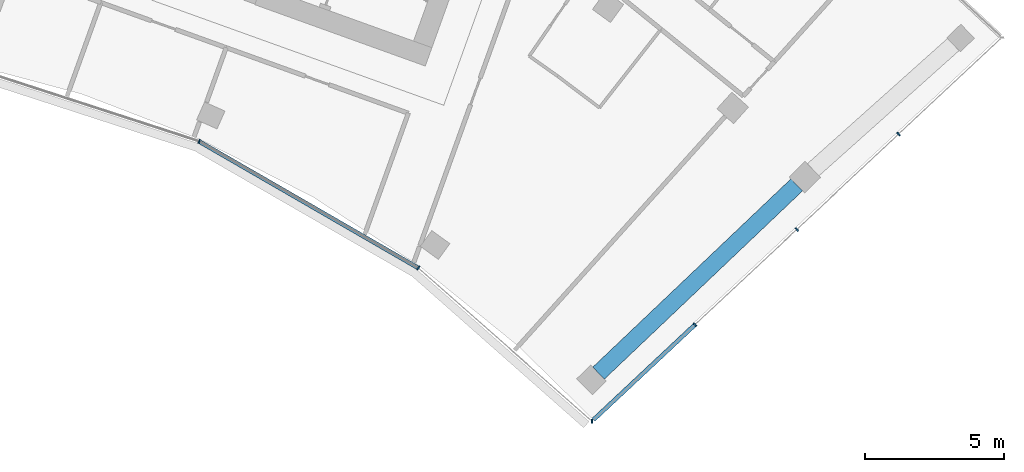
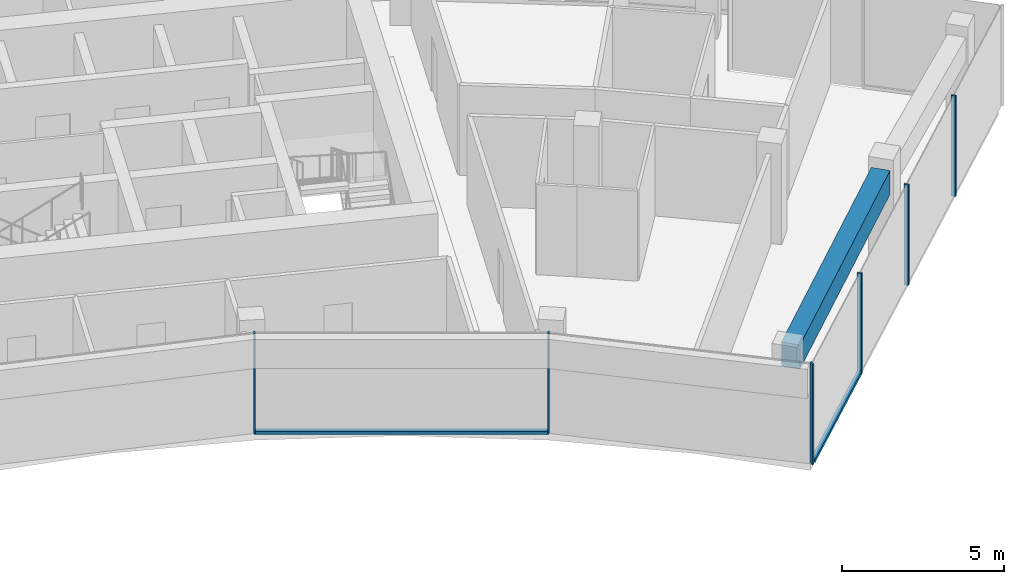
# One storey, part 8 of 19: 8 members, 1 beam, 2 elements without a shape of their own.
"""IFC4 building model written with IfcOpenShell, lengths in metres."""

from ifc_helpers import new_model, si_unit, direction, frame, origin, origin_2d, place, context, subcontext, project, spatial, rectangle, extrude, material, layer, layer_set, material_profile, profile_set, type_object, element, aggregate, save


model = new_model("IFC4")

# Units and contexts
model_context = context("Model", 3, precision=1e-05, world=origin(), true_north=direction((0.0, 1.0)))
body_context = subcontext(model_context, "Body", "Model", "MODEL_VIEW")
ifc_project = project(units=[si_unit("LENGTHUNIT", "METRE"), si_unit("AREAUNIT", "SQUARE_METRE"), si_unit("VOLUMEUNIT", "CUBIC_METRE"), si_unit("PLANEANGLEUNIT", "RADIAN"), si_unit("MASSUNIT", "GRAM", prefix="KILO")], contexts=[model_context])

# Site, building, storey
site_placement = place(None, origin())
site = spatial("IfcSite", under=ifc_project, at=site_placement, CompositionType="ELEMENT")
building_placement = place(site_placement, origin())
building = spatial("IfcBuilding", under=site, at=building_placement, Name="Stone Belt Terrace Tower", CompositionType="ELEMENT")
storey_placement = place(building_placement, frame((0.0, 0.0, 303.60009765625)))
storey = spatial("IfcBuildingStorey", under=building, at=storey_placement, Name="L74", CompositionType="ELEMENT", Elevation=303.60009765625)

# Curtain wall, members
ifc_material_1 = material(Name="Aluminium 6063-T6 anodised frame", Category="aluminium")
ifc_layer_1 = layer(ifc_material_1, 0.14990234375)
ifc_layer_set_1 = layer_set([ifc_layer_1], Name="CW-B unitised concave-face curtain wall")
curtain_wall_type_1 = type_object("IfcCurtainWallType", Name="CW-B unitised concave-face curtain wall", PredefinedType="NOTDEFINED", material=ifc_layer_set_1)
curtain_wall_1_placement = place(storey_placement, origin())
curtain_wall_1 = element("IfcCurtainWall", 1, at=curtain_wall_1_placement, inside=storey, type_object=curtain_wall_type_1, Name="CW-B concave face L74", PredefinedType="NOTDEFINED")
ifc_material_profile_1 = material_profile(ifc_material_1, rectangle(XDim=0.14990234375, YDim=0.050048828125, at=origin_2d()), Name="Aluminium 6063-T6 50x150")
ifc_profile_set_1 = profile_set([ifc_material_profile_1], Name="Aluminium 6063-T6 anodised frame")
member_type_1 = type_object("IfcMemberType", Name="CW-B mullion 50 x 150", PredefinedType="MULLION", material=ifc_profile_set_1)
member_1_placement = place(storey_placement, frame((17.662353515625, 39.67041015625, 0.0), z_axis=(0.0, 0.0, 1.0), x_axis=(0.406736643076, 0.913545457643, 0.0)))
member_1 = element("IfcMember", 2, at=member_1_placement, type_object=member_type_1, Name="CW-B mullion 7", PredefinedType="MULLION", context=body_context, shape_type="SweptSolid", body=[
    extrude(rectangle(XDim=0.14990234375, YDim=0.050048828125, at=origin_2d()), origin(), (0.0, 0.0, 1.0), 3.7998046875),
])
member_2_placement = place(storey_placement, frame((25.524658203125, 35.131103515625, 0.0), z_axis=(0.0, 0.0, 1.0), x_axis=(0.583818854632, 0.811883947973, 0.0)))
member_2 = element("IfcMember", 3, at=member_2_placement, type_object=member_type_1, Name="CW-B mullion 8", PredefinedType="MULLION", context=body_context, shape_type="SweptSolid", body=[
    extrude(rectangle(XDim=0.14990234375, YDim=0.050048828125, at=origin_2d()), origin(), (0.0, 0.0, 1.0), 3.7998046875),
])
ifc_material_profile_2 = material_profile(ifc_material_1, rectangle(XDim=0.14990234375, YDim=0.1201171875, at=origin_2d()), Name="Aluminium 6063-T6 150x120")
ifc_profile_set_2 = profile_set([ifc_material_profile_2], Name="Aluminium 6063-T6 anodised frame")
member_type_2 = type_object("IfcMemberType", Name="CW-B transom 120 x 150", PredefinedType="USERDEFINED", material=ifc_profile_set_2)
member_3_placement = place(storey_placement, frame((17.690673828125, 39.654052734375, 0.059814453125), z_axis=(0.866020948727, -0.500007716307, 0.0), x_axis=(0.500007716307, 0.866020948727, 0.0)))
member_3 = element("IfcMember", 4, at=member_3_placement, type_object=member_type_2, Name="CW-B transom 7.1", ObjectType="TRANSOM", PredefinedType="USERDEFINED", context=body_context, shape_type="SweptSolid", body=[
    extrude(rectangle(XDim=0.14990234375, YDim=0.1201171875, at=origin_2d()), origin(), (0.0, 0.0, 1.0), 9.013427734375),
])
aggregate(curtain_wall_1, [member_1, member_2, member_3])

ifc_layer_2 = layer(ifc_material_1, 0.14990234375)
ifc_layer_set_2 = layer_set([ifc_layer_2], Name="CW-C stick curtain wall, horn ends and notches")
curtain_wall_type_2 = type_object("IfcCurtainWallType", Name="CW-C stick curtain wall, horn ends and notches", PredefinedType="NOTDEFINED", material=ifc_layer_set_2)
curtain_wall_2_placement = place(storey_placement, origin())
curtain_wall_2 = element("IfcCurtainWall", 5, at=curtain_wall_2_placement, inside=storey, type_object=curtain_wall_type_2, Name="CW-C end face L74", PredefinedType="NOTDEFINED")
ifc_material_profile_3 = material_profile(ifc_material_1, rectangle(XDim=0.14990234375, YDim=0.06005859375, at=origin_2d()), Name="Aluminium 6063-T6 60x150")
ifc_profile_set_3 = profile_set([ifc_material_profile_3], Name="Aluminium 6063-T6 anodised frame")
member_type_3 = type_object("IfcMemberType", Name="CW-C mullion 60 x 150", PredefinedType="MULLION", material=ifc_profile_set_3)
member_4_placement = place(storey_placement, frame((31.75244140625, 29.633056640625, 0.0), z_axis=(0.0, 0.0, 1.0), x_axis=(-0.014681639593, 0.999892218921, 0.0)))
member_4 = element("IfcMember", 6, at=member_4_placement, type_object=member_type_3, Name="CW-C mullion 1", PredefinedType="MULLION", context=body_context, shape_type="SweptSolid", body=[
    extrude(rectangle(XDim=0.14990234375, YDim=0.06005859375, at=origin_2d()), origin(), (0.0, 0.0, 1.0), 3.7998046875),
])
member_5_placement = place(storey_placement, frame((35.45166015625, 33.097412109375, 0.0), z_axis=(0.0, 0.0, 1.0), x_axis=(-0.683549434973, 0.729904219708, 0.0)))
member_5 = element("IfcMember", 7, at=member_5_placement, type_object=member_type_3, Name="CW-C mullion 2", PredefinedType="MULLION", context=body_context, shape_type="SweptSolid", body=[
    extrude(rectangle(XDim=0.14990234375, YDim=0.06005859375, at=origin_2d()), origin(), (0.0, 0.0, 1.0), 3.7998046875),
])
member_6_placement = place(storey_placement, frame((39.10107421875, 36.51513671875, 0.0), z_axis=(0.0, 0.0, 1.0), x_axis=(-0.683549434973, 0.729904219708, 0.0)))
member_6 = element("IfcMember", 8, at=member_6_placement, type_object=member_type_3, Name="CW-C mullion 3", PredefinedType="MULLION", context=body_context, shape_type="SweptSolid", body=[
    extrude(rectangle(XDim=0.14990234375, YDim=0.06005859375, at=origin_2d()), origin(), (0.0, 0.0, 1.0), 3.7998046875),
])
member_7_placement = place(storey_placement, frame((42.750732421875, 39.932861328125, 0.0), z_axis=(0.0, 0.0, 1.0), x_axis=(-0.683549434973, 0.729904219708, 0.0)))
member_7 = element("IfcMember", 9, at=member_7_placement, type_object=member_type_3, Name="CW-C mullion 4", PredefinedType="MULLION", context=body_context, shape_type="SweptSolid", body=[
    extrude(rectangle(XDim=0.14990234375, YDim=0.06005859375, at=origin_2d()), origin(), (0.0, 0.0, 1.0), 3.7998046875),
])
ifc_material_profile_4 = material_profile(ifc_material_1, rectangle(XDim=0.14990234375, YDim=0.1201171875, at=origin_2d()), Name="Aluminium 6063-T6 150x120")
ifc_profile_set_4 = profile_set([ifc_material_profile_4], Name="Aluminium 6063-T6 anodised frame")
member_type_4 = type_object("IfcMemberType", Name="CW-C transom 120 x 150", PredefinedType="USERDEFINED", material=ifc_profile_set_4)
member_8_placement = place(storey_placement, frame((31.805419921875, 29.6826171875, 0.059814453125), z_axis=(0.72988516347, 0.683569782938, 0.0), x_axis=(-0.683569782938, 0.72988516347, 0.0)))
member_8 = element("IfcMember", 10, at=member_8_placement, type_object=member_type_4, Name="CW-C transom 1.1", ObjectType="TRANSOM", PredefinedType="USERDEFINED", context=body_context, shape_type="SweptSolid", body=[
    extrude(rectangle(XDim=0.14990234375, YDim=0.1201171875, at=origin_2d()), origin(), (0.0, 0.0, 1.0), 4.965576171875),
])
aggregate(curtain_wall_2, [member_4, member_5, member_6, member_7, member_8])

# Beam
ifc_material_2 = material(Name="Concrete B60", Category="concrete")
ifc_material_profile_5 = material_profile(ifc_material_2, rectangle(XDim=0.60009765625, YDim=0.89990234375, at=origin_2d()), Name="RC 600x900")
ifc_profile_set_5 = profile_set([ifc_material_profile_5], Name="Concrete B60")
beam_type = type_object("IfcBeamType", Name="Edge beam RC 600x900 B60", PredefinedType="SPANDREL", material=ifc_profile_set_5)
beam_placement = place(storey_placement, frame((31.98876953125, 31.35791015625, 2.949951171875), z_axis=(0.72502367576, 0.688723942946, 0.0), x_axis=(-0.688723942946, 0.72502367576, 0.0)))
element("IfcBeam", 11, at=beam_placement, inside=storey, type_object=beam_type, Name="Edge beam L74 B P to Q", PredefinedType="SPANDREL", context=body_context, shape_type="SweptSolid", body=[
    extrude(rectangle(XDim=0.60009765625, YDim=0.89990234375, at=origin_2d()), origin(), (0.0, 0.0, 1.0), 9.80615234375),
])

save(model, "model.ifc")
